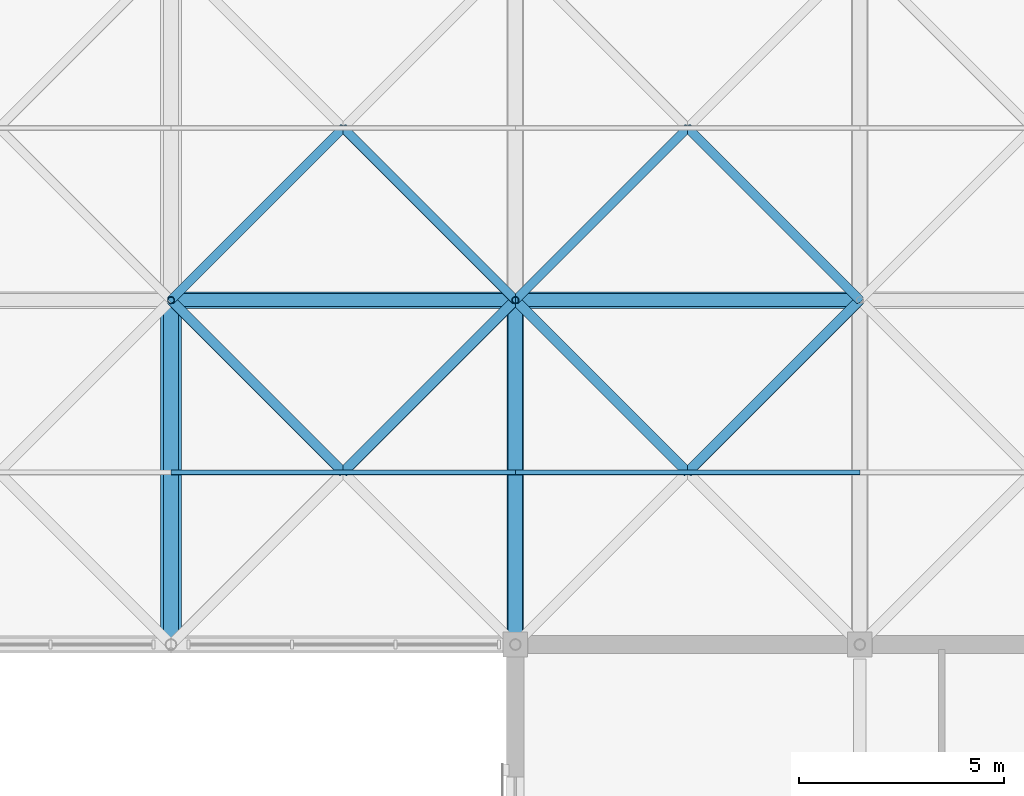
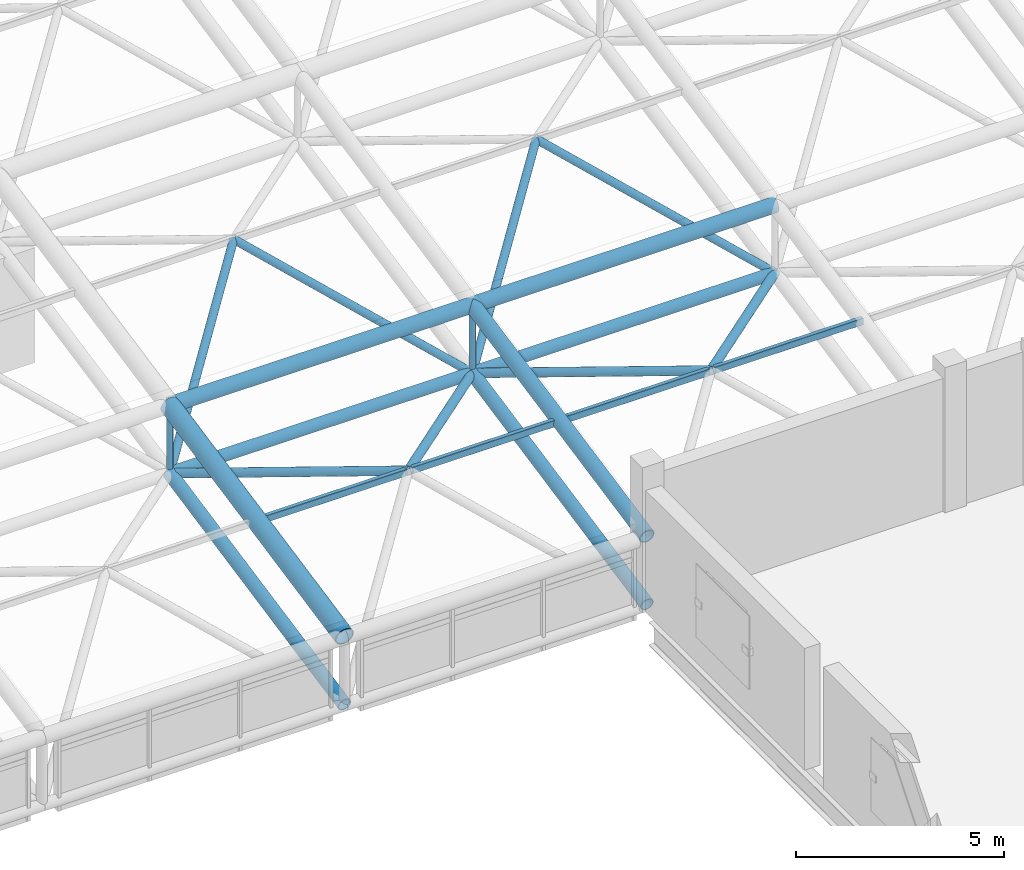
# One storey, part 7 of 81: 20 members.
"""IFC4 building model written with IfcOpenShell, lengths in metres."""

from ifc_helpers import new_model, si_unit, direction, frame, origin, origin_2d, place, context, subcontext, project, spatial, hollow_rectangle, hollow_circle, extrude, material, material_profile, profile_set, type_object, element, save


model = new_model("IFC4")

# Units and contexts
model_context = context("Model", 3, precision=1e-05, world=origin(), true_north=direction((0.0, 1.0)))
body_context = subcontext(model_context, "Body", "Model", "MODEL_VIEW")
ifc_project = project(units=[si_unit("LENGTHUNIT", "METRE"), si_unit("AREAUNIT", "SQUARE_METRE"), si_unit("VOLUMEUNIT", "CUBIC_METRE"), si_unit("PLANEANGLEUNIT", "RADIAN"), si_unit("MASSUNIT", "GRAM", prefix="KILO")], contexts=[model_context])

# Site, building, storey
site_placement = place(None, origin())
site = spatial("IfcSite", under=ifc_project, at=site_placement, CompositionType="ELEMENT")
building_placement = place(site_placement, origin())
building = spatial("IfcBuilding", under=site, at=building_placement, Name="Qawsi Khor Wholesale Market", CompositionType="ELEMENT")
storey_placement = place(building_placement, frame((0.0, 0.0, 16.199951171875)))
storey = spatial("IfcBuildingStorey", under=building, at=storey_placement, Name="L03", CompositionType="ELEMENT", Elevation=16.199951171875)

# Members
ifc_material = material(Name="Steel S355", Category="steel")
ifc_material_profile_1 = material_profile(ifc_material, hollow_circle(Radius=0.177734375, WallThickness=0.01611328125, at=origin_2d()), Name="CHS 355.6x16.0")
ifc_profile_set_1 = profile_set([ifc_material_profile_1], Name="Steel S355")
member_type_1 = type_object("IfcMemberType", Name="Space-Frame Bottom Chord CHS 355.6x16.0", PredefinedType="CHORD", material=ifc_profile_set_1)
for number, where, z_axis, x_axis, name in (
    (1, (16.800048828125, 42.0, -0.030029296875), (0.0, 0.9801244518, 0.198383615716), (-1.0, 0.0, 0.0), "Space frame bottom chord Y WH (2,5)"),
    (2, (25.199951171875, 42.0, -0.030029296875), (0.0, 0.9801244518, 0.198383615716), (-1.0, 0.0, 0.0), "Space frame bottom chord Y WH (3,5)"),
):
    element("IfcMember", number, at=place(storey_placement, frame(where, z_axis=z_axis, x_axis=x_axis)), inside=storey, type_object=member_type_1, Name=name, PredefinedType="CHORD", context=body_context, shape_type="SweptSolid", body=[
        extrude(hollow_circle(Radius=0.177734375, WallThickness=0.01611328125, at=origin_2d()), origin(), (0.0, 0.0, 1.0), 8.5703125),
    ])
ifc_material_profile_2 = material_profile(ifc_material, hollow_circle(Radius=0.122314453125, WallThickness=0.012451171875, at=origin_2d()), Name="CHS 244.5x12.5")
ifc_profile_set_2 = profile_set([ifc_material_profile_2], Name="Steel S355")
member_type_2 = type_object("IfcMemberType", Name="Space-Frame Heavy Diagonal CHS 244.5x12.5", PredefinedType="POST", material=ifc_profile_set_2)
for number, where, z_axis, x_axis, name in (
    (3, (25.199951171875, 50.39990234375, 1.670166015625), (-0.694216714393, -0.694216714393, 0.190069216113), (0.707106781187, -0.707106781187, 0.0), "Space frame diagonal WH (2,5)-3"),
    (4, (16.800048828125, 50.39990234375, 1.670166015625), (0.694216714393, -0.694216714393, 0.190069216113), (0.707106781187, 0.707106781187, 0.0), "Space frame diagonal WH (2,5)-4"),
):
    element("IfcMember", number, at=place(storey_placement, frame(where, z_axis=z_axis, x_axis=x_axis)), inside=storey, type_object=member_type_2, Name=name, PredefinedType="POST", context=body_context, shape_type="SweptSolid", body=[
        extrude(hollow_circle(Radius=0.122314453125, WallThickness=0.012451171875, at=origin_2d()), origin(), (0.0, 0.0, 1.0), 6.0498046875),
    ])
member_1_placement = place(storey_placement, frame((33.60009765625, 50.39990234375, 1.670166015625), z_axis=(-0.694237619642, -0.694197266374, 0.19006389145), x_axis=(0.70708622964, -0.707127332136, 0.0)))
element("IfcMember", 5, at=member_1_placement, inside=storey, type_object=member_type_2, Name="Space frame diagonal WH (3,5)-3", PredefinedType="POST", context=body_context, shape_type="SweptSolid", body=[
    extrude(hollow_circle(Radius=0.122314453125, WallThickness=0.012451171875, at=origin_2d()), origin(), (0.0, 0.0, 1.0), 6.050048828125),
])
member_2_placement = place(storey_placement, frame((25.199951171875, 50.39990234375, 1.670166015625), z_axis=(0.694216714393, -0.694216714393, 0.190069216113), x_axis=(0.707106781187, 0.707106781187, 0.0)))
element("IfcMember", 6, at=member_2_placement, inside=storey, type_object=member_type_2, Name="Space frame diagonal WH (3,5)-4", PredefinedType="POST", context=body_context, shape_type="SweptSolid", body=[
    extrude(hollow_circle(Radius=0.122314453125, WallThickness=0.012451171875, at=origin_2d()), origin(), (0.0, 0.0, 1.0), 6.0498046875),
])
ifc_material_profile_3 = material_profile(ifc_material, hollow_rectangle(XDim=0.1201171875, YDim=0.199951171875, WallThickness=0.008056640625, InnerFilletRadius=0.008056640625, OuterFilletRadius=0.01611328125, at=origin_2d()), Name="RHS 200x120x8.0")
ifc_profile_set_3 = profile_set([ifc_material_profile_3], Name="Steel S355")
member_type_3 = type_object("IfcMemberType", Name="Space-Frame Heavy Purlin RHS 200x120x8.0", PredefinedType="PURLIN", material=ifc_profile_set_3)
member_3_placement = place(storey_placement, frame((16.800048828125, 46.199951171875, 2.820068359375), z_axis=(1.0, 0.0, 0.0), x_axis=(0.0, 1.0, 0.0)))
element("IfcMember", 7, at=member_3_placement, inside=storey, type_object=member_type_3, Name="Space frame purlin WH (2,5)", PredefinedType="PURLIN", context=body_context, shape_type="SweptSolid", body=[
    extrude(hollow_rectangle(XDim=0.1201171875, YDim=0.199951171875, WallThickness=0.008056640625, InnerFilletRadius=0.008056640625, OuterFilletRadius=0.01611328125, at=origin_2d()), origin(), (0.0, 0.0, 1.0), 8.39990234375),
])
member_4_placement = place(storey_placement, frame((25.199951171875, 46.199951171875, 2.820068359375), z_axis=(1.0, 0.0, 0.0), x_axis=(0.0, 1.0, 0.0)))
element("IfcMember", 8, at=member_4_placement, inside=storey, type_object=member_type_3, Name="Space frame purlin WH (3,5)", PredefinedType="PURLIN", context=body_context, shape_type="SweptSolid", body=[
    extrude(hollow_rectangle(XDim=0.1201171875, YDim=0.199951171875, WallThickness=0.008056640625, InnerFilletRadius=0.008056640625, OuterFilletRadius=0.01611328125, at=origin_2d()), origin(), (0.0, 0.0, 1.0), 8.400146484375),
])
ifc_material_profile_4 = material_profile(ifc_material, hollow_circle(Radius=0.109619140625, WallThickness=0.010009765625, at=origin_2d()), Name="CHS 219.1x10.0")
ifc_profile_set_4 = profile_set([ifc_material_profile_4], Name="Steel S355")
member_type_4 = type_object("IfcMemberType", Name="Space-Frame Inner Diagonal CHS 219.1x10.0", PredefinedType="RAFTER", material=ifc_profile_set_4)
for number, where, z_axis, x_axis, name in (
    (9, (16.800048828125, 50.39990234375, 1.670166015625), (0.637506899628, 0.637543957519, 0.432576762155), (-0.707127332136, 0.70708622964, 0.0), "Space frame diagonal WH (2,6)-1"),
    (10, (25.199951171875, 50.39990234375, 1.670166015625), (-0.637506899628, 0.637543957519, 0.432576762155), (-0.707127332136, -0.70708622964, 0.0), "Space frame diagonal WH (2,6)-2"),
    (11, (25.199951171875, 50.39990234375, 1.670166015625), (0.637506899628, 0.637543957519, 0.432576762155), (-0.707127332136, 0.70708622964, 0.0), "Space frame diagonal WH (3,6)-1"),
    (12, (33.60009765625, 50.39990234375, 1.670166015625), (-0.637528895855, 0.637528895855, 0.432566542741), (-0.707106781187, -0.707106781187, 0.0), "Space frame diagonal WH (3,6)-2"),
):
    element("IfcMember", number, at=place(storey_placement, frame(where, z_axis=z_axis, x_axis=x_axis)), inside=storey, type_object=member_type_4, Name=name, PredefinedType="RAFTER", context=body_context, shape_type="SweptSolid", body=[
        extrude(hollow_circle(Radius=0.109619140625, WallThickness=0.010009765625, at=origin_2d()), origin(), (0.0, 0.0, 1.0), 6.588134765625),
    ])
ifc_material_profile_5 = material_profile(ifc_material, hollow_circle(Radius=0.25390625, WallThickness=0.02490234375, at=origin_2d()), Name="CHS 508.0x25.0")
ifc_profile_set_5 = profile_set([ifc_material_profile_5], Name="Steel S355")
member_type_5 = type_object("IfcMemberType", Name="Space-Frame Main Chord CHS 508.0x25.0", PredefinedType="CHORD", material=ifc_profile_set_5)
member_5_placement = place(storey_placement, frame((16.800048828125, 42.0, 1.969970703125), z_axis=(0.0, 0.9801244518, 0.198383615716), x_axis=(-1.0, 0.0, 0.0)))
element("IfcMember", 13, at=member_5_placement, inside=storey, type_object=member_type_5, Name="Space frame top chord Y WH (2,5)", PredefinedType="CHORD", context=body_context, shape_type="SweptSolid", body=[
    extrude(hollow_circle(Radius=0.25390625, WallThickness=0.02490234375, at=origin_2d()), origin(), (0.0, 0.0, 1.0), 8.5703125),
])
ifc_material_profile_6 = material_profile(ifc_material, hollow_circle(Radius=0.161865234375, WallThickness=0.01611328125, at=origin_2d()), Name="CHS 323.9x16.0")
ifc_profile_set_6 = profile_set([ifc_material_profile_6], Name="Steel S355")
member_type_6 = type_object("IfcMemberType", Name="Space-Frame Secondary Chord CHS 323.9x16.0", PredefinedType="CHORD", material=ifc_profile_set_6)
member_6_placement = place(storey_placement, frame((16.800048828125, 50.39990234375, 1.670166015625), z_axis=(1.0, 0.0, 0.0), x_axis=(0.0, 1.0, 0.0)))
element("IfcMember", 14, at=member_6_placement, inside=storey, type_object=member_type_6, Name="Space frame bottom chord X WH (2,6)", PredefinedType="CHORD", context=body_context, shape_type="SweptSolid", body=[
    extrude(hollow_circle(Radius=0.161865234375, WallThickness=0.01611328125, at=origin_2d()), origin(), (0.0, 0.0, 1.0), 8.39990234375),
])
member_7_placement = place(storey_placement, frame((25.199951171875, 50.39990234375, 1.670166015625), z_axis=(1.0, 0.0, 0.0), x_axis=(0.0, 1.0, 0.0)))
element("IfcMember", 15, at=member_7_placement, inside=storey, type_object=member_type_6, Name="Space frame bottom chord X WH (3,6)", PredefinedType="CHORD", context=body_context, shape_type="SweptSolid", body=[
    extrude(hollow_circle(Radius=0.161865234375, WallThickness=0.01611328125, at=origin_2d()), origin(), (0.0, 0.0, 1.0), 8.400146484375),
])
ifc_material_profile_7 = material_profile(ifc_material, hollow_circle(Radius=0.203125, WallThickness=0.02001953125, at=origin_2d()), Name="CHS 406.4x20.0")
ifc_profile_set_7 = profile_set([ifc_material_profile_7], Name="Steel S355")
member_type_7 = type_object("IfcMemberType", Name="Space-Frame Top Chord CHS 406.4x20.0", PredefinedType="CHORD", material=ifc_profile_set_7)
member_8_placement = place(storey_placement, frame((16.800048828125, 50.39990234375, 3.670166015625), z_axis=(1.0, 0.0, 0.0), x_axis=(0.0, 1.0, 0.0)))
element("IfcMember", 16, at=member_8_placement, inside=storey, type_object=member_type_7, Name="Space frame top chord X WH (2,6)", PredefinedType="CHORD", context=body_context, shape_type="SweptSolid", body=[
    extrude(hollow_circle(Radius=0.203125, WallThickness=0.02001953125, at=origin_2d()), origin(), (0.0, 0.0, 1.0), 8.39990234375),
])
member_9_placement = place(storey_placement, frame((25.199951171875, 42.0, 1.969970703125), z_axis=(0.0, 0.9801244518, 0.198383615716), x_axis=(-1.0, 0.0, 0.0)))
element("IfcMember", 17, at=member_9_placement, inside=storey, type_object=member_type_7, Name="Space frame top chord Y WH (3,5)", PredefinedType="CHORD", context=body_context, shape_type="SweptSolid", body=[
    extrude(hollow_circle(Radius=0.203125, WallThickness=0.02001953125, at=origin_2d()), origin(), (0.0, 0.0, 1.0), 8.5703125),
])
member_10_placement = place(storey_placement, frame((25.199951171875, 50.39990234375, 3.670166015625), z_axis=(1.0, 0.0, 0.0), x_axis=(0.0, 1.0, 0.0)))
element("IfcMember", 18, at=member_10_placement, inside=storey, type_object=member_type_7, Name="Space frame top chord X WH (3,6)", PredefinedType="CHORD", context=body_context, shape_type="SweptSolid", body=[
    extrude(hollow_circle(Radius=0.203125, WallThickness=0.02001953125, at=origin_2d()), origin(), (0.0, 0.0, 1.0), 8.400146484375),
])
ifc_material_profile_8 = material_profile(ifc_material, hollow_circle(Radius=0.084228515625, WallThickness=0.008056640625, at=origin_2d()), Name="CHS 168.3x8.0")
ifc_profile_set_8 = profile_set([ifc_material_profile_8], Name="Steel S355")
member_type_8 = type_object("IfcMemberType", Name="Space-Frame Vertical Strut CHS 168.3x8.0", PredefinedType="STRUT", material=ifc_profile_set_8)
for number, where, z_axis, x_axis, name in (
    (19, (16.800048828125, 50.39990234375, 1.670166015625), (0.0, 0.0, 1.0), (1.0, 0.0, 0.0), "Space frame post WH (2,6)"),
    (20, (25.199951171875, 50.39990234375, 1.670166015625), (0.0, 0.0, 1.0), (1.0, 0.0, 0.0), "Space frame post WH (3,6)"),
):
    element("IfcMember", number, at=place(storey_placement, frame(where, z_axis=z_axis, x_axis=x_axis)), inside=storey, type_object=member_type_8, Name=name, PredefinedType="STRUT", context=body_context, shape_type="SweptSolid", body=[
        extrude(hollow_circle(Radius=0.084228515625, WallThickness=0.008056640625, at=origin_2d()), origin(), (0.0, 0.0, 1.0), 2.0),
    ])

save(model, "model.ifc")
